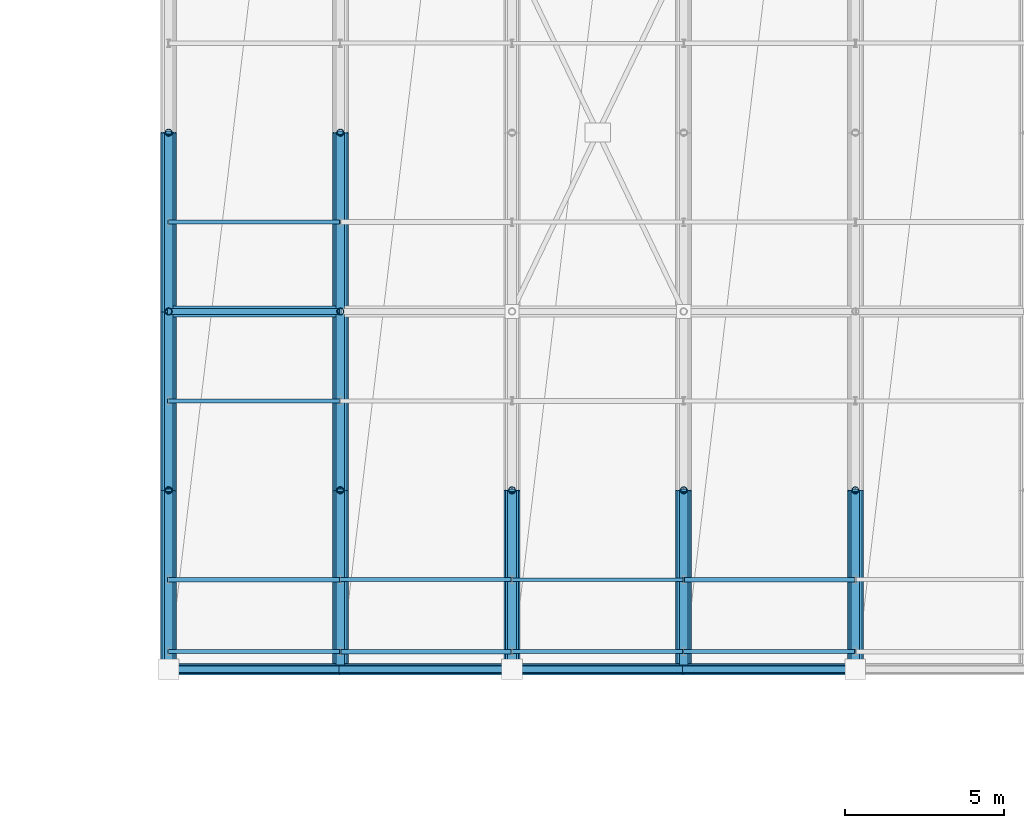
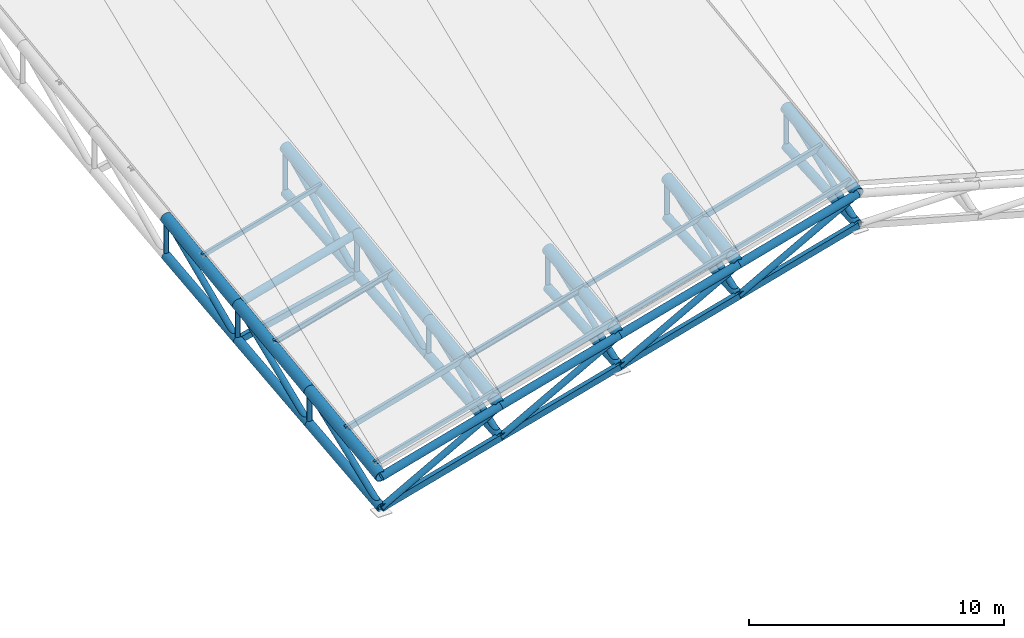
# One storey, part 1 of 109: 42 members, 18 beams.
"""IFC4 building model written with IfcOpenShell, lengths in metres."""

import ifcopenshell
import ifcopenshell.guid

model = None  # the IFC model being written
_history = None  # IfcOwnerHistory: only IFC2X3 demands one
_inside = {}  # id of a spatial element -> (the spatial element, [elements in it])
_under = {}  # id of a project, library or spatial element -> (it, [spatial elements below it])
_declared = {}  # id of a project -> (the project, [libraries it declares])
_typed = {}  # id of a type object -> (the type object, [elements of that type])
_made_of = {}  # id of a material, layer set ... -> (it, [elements and type objects made of it])


def new_model(schema):
    """Start an empty IFC model of exactly this schema.

    Asked for "IFC4X3", IfcOpenShell would pick the latest addendum, in which some entities
    have other attributes; the version numbers below select the first issue.
    IFC2X3 requires an IfcOwnerHistory on every rooted entity: one is made here for all.
    """
    global model, _history
    if schema == "IFC4X3":
        model = ifcopenshell.file(schema_version=(4, 3, 0, 0))
    else:
        model = ifcopenshell.file(schema=schema)
    _inside.clear()
    _under.clear()
    _declared.clear()
    _typed.clear()
    _made_of.clear()
    _history = None
    if model.schema == "IFC2X3":
        org = make("IfcOrganization", Name="unknown")
        user = make(
            "IfcPersonAndOrganization",
            ThePerson=make("IfcPerson", FamilyName="unknown"),
            TheOrganization=org,
        )
        app = make(
            "IfcApplication",
            ApplicationDeveloper=org,
            Version="unknown",
            ApplicationFullName="unknown",
            ApplicationIdentifier="unknown",
        )
        _history = make(
            "IfcOwnerHistory",
            OwningUser=user,
            OwningApplication=app,
            ChangeAction="ADDED",
            CreationDate=0,
        )
    return model


def make(cls, **values):
    """One entity of the class cls with the attributes given. An attribute that is None is left unset."""
    return model.create_entity(
        cls, **{name: value for name, value in values.items() if value is not None}
    )


def rooted(cls, **values):
    """An entity with a GlobalId (a new one), such as an element, a storey or a relation."""
    return make(cls, GlobalId=ifcopenshell.guid.new(), OwnerHistory=_history, **values)


def si_unit(unit_type, name, prefix=None):
    """IfcSIUnit, for example si_unit("LENGTHUNIT", "METRE", prefix="MILLI")."""
    return make("IfcSIUnit", UnitType=unit_type, Prefix=prefix, Name=name)


def assignment(units):
    """IfcUnitAssignment: the units of a project."""
    return None if units is None else make("IfcUnitAssignment", Units=units)


def point(xyz):
    """IfcCartesianPoint."""
    return None if xyz is None else make("IfcCartesianPoint", Coordinates=xyz)


def direction(xyz):
    """IfcDirection."""
    return None if xyz is None else make("IfcDirection", DirectionRatios=xyz)


def frame(location, z_axis=None, x_axis=None):
    """IfcAxis2Placement3D, a coordinate frame: its origin and axes. An axis left out is left unset."""
    return make(
        "IfcAxis2Placement3D",
        Location=point(location),
        Axis=direction(z_axis),
        RefDirection=direction(x_axis),
    )


def frame_2d(location, x_axis=None):
    """IfcAxis2Placement2D, a coordinate frame in the plane: its origin and x axis."""
    return make(
        "IfcAxis2Placement2D", Location=point(location), RefDirection=direction(x_axis)
    )


def origin():
    """The frame at (0, 0, 0) with its axes left unset."""
    return frame((0.0, 0.0, 0.0))


def origin_2d():
    """The frame at (0, 0) in the plane with its x axis left unset."""
    return frame_2d((0.0, 0.0))


def place(relative_to, where):
    """IfcLocalPlacement: puts the frame where relative to a parent placement (None: the world)."""
    return make(
        "IfcLocalPlacement", PlacementRelTo=relative_to, RelativePlacement=where
    )


def context(
    kind, dimensions, precision=None, world=None, true_north=None, identifier=None
):
    """IfcGeometricRepresentationContext, for example the 3D "Model" context."""
    return make(
        "IfcGeometricRepresentationContext",
        ContextIdentifier=identifier,
        ContextType=kind,
        CoordinateSpaceDimension=dimensions,
        Precision=precision,
        WorldCoordinateSystem=world,
        TrueNorth=true_north,
    )


def subcontext(parent, identifier, kind, view, scale=None):
    """IfcGeometricRepresentationSubContext, for example "Body" below "Model"."""
    return make(
        "IfcGeometricRepresentationSubContext",
        ContextIdentifier=identifier,
        ContextType=kind,
        ParentContext=parent,
        TargetScale=scale,
        TargetView=view,
    )


def project(units=None, contexts=None):
    """IfcProject with its units and contexts."""
    return rooted(
        "IfcProject",
        Name="project",
        RepresentationContexts=contexts,
        UnitsInContext=assignment(units),
    )


def spatial(cls, under=None, at=None, **own):
    """A site, building, storey or space (cls), placed at a placement, below another one or the project."""
    s = rooted(cls, ObjectPlacement=at, **own)
    if under is not None:
        _under.setdefault(under.id(), (under, []))[1].append(s)
    return s


def profile(cls, at=None, kind="AREA", **sizes):
    """A parametric profile (cls). Its sizes go by their IFC names, for example OverallWidth=200.0."""
    return make(cls, ProfileType=kind, Position=at, **sizes)


def hollow_rectangle(**sizes):
    """IfcRectangleHollowProfileDef."""
    return profile("IfcRectangleHollowProfileDef", **sizes)


def hollow_circle(**sizes):
    """IfcCircleHollowProfileDef."""
    return profile("IfcCircleHollowProfileDef", **sizes)


def i_section(**sizes):
    """IfcIShapeProfileDef."""
    return profile("IfcIShapeProfileDef", **sizes)


def extrude(swept, where, along, depth):
    """IfcExtrudedAreaSolid: the profile swept, set in the frame where, extruded along a direction by depth."""
    return make(
        "IfcExtrudedAreaSolid",
        SweptArea=swept,
        Position=where,
        ExtrudedDirection=direction(along),
        Depth=depth,
    )


def shape(context_of_items, identifier, shape_type, items):
    """IfcShapeRepresentation: the items that make up one representation, for example the "Body"."""
    return make(
        "IfcShapeRepresentation",
        ContextOfItems=context_of_items,
        RepresentationIdentifier=identifier,
        RepresentationType=shape_type,
        Items=items,
    )


def material(Name=None, Category=None):
    """IfcMaterial."""
    return make("IfcMaterial", Name=Name, Category=Category)


def material_profile(
    of_material, cross_section, Name=None, Category=None, Priority=None
):
    """IfcMaterialProfile: a cross section and its material."""
    return make(
        "IfcMaterialProfile",
        Name=Name,
        Material=of_material,
        Profile=cross_section,
        Priority=Priority,
        Category=Category,
    )


def profile_set(profiles, Name=None, composite=None):
    """IfcMaterialProfileSet."""
    return make(
        "IfcMaterialProfileSet",
        Name=Name,
        MaterialProfiles=profiles,
        CompositeProfile=composite,
    )


def made_of(thing, what):
    """Note that an element or type object is made of a material, layer set ...; save() writes the relation."""
    if what is not None:
        _made_of.setdefault(what.id(), (what, []))[1].append(thing)
    return thing


def type_object(cls, material=None, **own):
    """A type object (cls), such as IfcWallType, which elements share."""
    return made_of(rooted(cls, **own), material)


def element(
    cls,
    number,
    at=None,
    inside=None,
    cuts=None,
    type_object=None,
    material=None,
    context=None,
    identifier="Body",
    shape_type=None,
    held_by="IfcProductDefinitionShape",
    body=None,
    shapes=None,
    **own,
):
    """One element of the class cls, such as IfcWall. Its Tag is "e" and its number.

    at: its placement. inside: the storey or other place that contains it. cuts: it is an
    opening in that element (IfcRelVoidsElement). A single representation is given by context,
    identifier, shape_type and body (its items); several are given by shapes. held_by: the class
    of the entity that holds the representations. save() writes the other relations.
    """
    e = rooted(cls, Tag="e%d" % number, ObjectPlacement=at, **own)
    if body is not None:
        shapes = [shape(context, identifier, shape_type, body)]
    if shapes is not None:
        e.Representation = make(held_by, Representations=shapes)
    if inside is not None:
        _inside.setdefault(inside.id(), (inside, []))[1].append(e)
    if cuts is not None:
        rooted(
            "IfcRelVoidsElement", RelatingBuildingElement=cuts, RelatedOpeningElement=e
        )
    if type_object is not None:
        _typed.setdefault(type_object.id(), (type_object, []))[1].append(e)
    return made_of(e, material)


def aggregate(whole, parts):
    """IfcRelAggregates: a whole, such as a stair, and the parts it consists of."""
    return rooted("IfcRelAggregates", RelatingObject=whole, RelatedObjects=parts)


def save(model, path):
    """Write the relations noted so far, then the file.

    IfcRelAggregates (storeys below a building ...), IfcRelContainedInSpatialStructure (elements
    in a storey), IfcRelDefinesByType, IfcRelAssociatesMaterial and IfcRelDeclares: one each for
    every whole, place, type object, material and project.
    """
    for whole, parts in _under.values():
        aggregate(whole, parts)
    for where, things in _inside.values():
        rooted(
            "IfcRelContainedInSpatialStructure",
            RelatedElements=things,
            RelatingStructure=where,
        )
    for kind, things in _typed.values():
        rooted("IfcRelDefinesByType", RelatedObjects=things, RelatingType=kind)
    for what, things in _made_of.values():
        rooted("IfcRelAssociatesMaterial", RelatedObjects=things, RelatingMaterial=what)
    for by, libraries in _declared.values():
        rooted("IfcRelDeclares", RelatingContext=by, RelatedDefinitions=libraries)
    model.write(path)


model = new_model("IFC4")

# Units and contexts
model_context = context("Model", 3, precision=1e-05, world=origin(), true_north=direction((0.0, 1.0)))
body_context = subcontext(model_context, "Body", "Model", "MODEL_VIEW")
ifc_project = project(units=[si_unit("LENGTHUNIT", "METRE"), si_unit("AREAUNIT", "SQUARE_METRE"), si_unit("VOLUMEUNIT", "CUBIC_METRE"), si_unit("PLANEANGLEUNIT", "RADIAN"), si_unit("MASSUNIT", "GRAM", prefix="KILO")], contexts=[model_context])

# Site, building, storey
site_placement = place(None, origin())
site = spatial("IfcSite", under=ifc_project, at=site_placement, CompositionType="ELEMENT")
building_placement = place(site_placement, origin())
building = spatial("IfcBuilding", under=site, at=building_placement, Name="Suirenkawa Promenade Aquatics Centre", CompositionType="ELEMENT")
storey_placement = place(building_placement, frame((0.0, 0.0, 22.800048828125)))
storey = spatial("IfcBuildingStorey", under=building, at=storey_placement, Name="ROOF", CompositionType="ELEMENT", Elevation=22.800048828125)

# Beams
ifc_material = material(Name="Steel IS 2062 E350 (Grade 350)", Category="steel")
ifc_material_profile_1 = material_profile(ifc_material, hollow_circle(Radius=0.202880859375, WallThickness=0.01806640625, at=origin_2d()), Name="CHS 406x18", Category="steel")
ifc_profile_set_1 = profile_set([ifc_material_profile_1], Name="Steel IS 2062 E350 (Grade 350)")
beam_type_1 = type_object("IfcBeamType", Name="BT-BC-CHS406", PredefinedType="BEAM", material=ifc_profile_set_1)
beam_1_placement = place(storey_placement, frame((46.800048828125, 50.39990234375, -16.47998046875), z_axis=(0.0, 0.994361931266, 0.106039377826), x_axis=(-1.0, 0.0, 0.0)))
element("IfcBeam", 1, at=beam_1_placement, inside=storey, type_object=beam_type_1, Name="ROOF TRUSS V1 bottom chord BC-01 BM-1808", PredefinedType="BEAM", context=body_context, shape_type="SweptSolid", body=[
    extrude(hollow_circle(Radius=0.202880859375, WallThickness=0.01806640625, at=origin_2d()), origin(), (0.0, 0.0, 1.0), 5.656982421875),
])
beam_2_placement = place(storey_placement, frame((46.800048828125, 56.02490234375, -15.880126953125), z_axis=(0.0, 0.99422460669, 0.107319296738), x_axis=(-1.0, 0.0, 0.0)))
element("IfcBeam", 2, at=beam_2_placement, inside=storey, type_object=beam_type_1, Name="ROOF TRUSS V1 bottom chord BC-01 BM-1810", PredefinedType="BEAM", context=body_context, shape_type="SweptSolid", body=[
    extrude(hollow_circle(Radius=0.202880859375, WallThickness=0.01806640625, at=origin_2d()), origin(), (0.0, 0.0, 1.0), 5.65771484375),
])
beam_3_placement = place(storey_placement, frame((46.800048828125, 61.64990234375, -15.27294921875), z_axis=(0.0, 0.993945133668, 0.109877528448), x_axis=(-1.0, 0.0, 0.0)))
element("IfcBeam", 3, at=beam_3_placement, inside=storey, type_object=beam_type_1, Name="ROOF TRUSS V1 bottom chord BC-01 BM-1812", PredefinedType="BEAM", context=body_context, shape_type="SweptSolid", body=[
    extrude(hollow_circle(Radius=0.202880859375, WallThickness=0.01806640625, at=origin_2d()), origin(), (0.0, 0.0, 1.0), 5.6591796875),
])
beam_4_placement = place(storey_placement, frame((52.199951171875, 50.39990234375, -14.97998046875), z_axis=(0.0, 0.996499069884, 0.083603849917), x_axis=(-1.0, 0.0, 0.0)))
element("IfcBeam", 4, at=beam_4_placement, inside=storey, type_object=beam_type_1, Name="ROOF TRUSS V1 bottom chord BC-01 BM-1836", PredefinedType="BEAM", context=body_context, shape_type="SweptSolid", body=[
    extrude(hollow_circle(Radius=0.202880859375, WallThickness=0.01806640625, at=origin_2d()), origin(), (0.0, 0.0, 1.0), 5.644775390625),
])
beam_5_placement = place(storey_placement, frame((52.199951171875, 56.02490234375, -14.508056640625), z_axis=(0.0, 0.996257281682, 0.086437426479), x_axis=(-1.0, 0.0, 0.0)))
element("IfcBeam", 5, at=beam_5_placement, inside=storey, type_object=beam_type_1, Name="ROOF TRUSS V1 bottom chord BC-01 BM-1838", PredefinedType="BEAM", context=body_context, shape_type="SweptSolid", body=[
    extrude(hollow_circle(Radius=0.202880859375, WallThickness=0.01806640625, at=origin_2d()), origin(), (0.0, 0.0, 1.0), 5.646240234375),
])
beam_6_placement = place(storey_placement, frame((52.199951171875, 61.64990234375, -14.02001953125), z_axis=(0.0, 0.99580129814, 0.091541108918), x_axis=(-1.0, 0.0, 0.0)))
element("IfcBeam", 6, at=beam_6_placement, inside=storey, type_object=beam_type_1, Name="ROOF TRUSS V1 bottom chord BC-01 BM-1840", PredefinedType="BEAM", context=body_context, shape_type="SweptSolid", body=[
    extrude(hollow_circle(Radius=0.202880859375, WallThickness=0.01806640625, at=origin_2d()), origin(), (0.0, 0.0, 1.0), 5.648681640625),
])
beam_7_placement = place(storey_placement, frame((57.60009765625, 50.39990234375, -13.47998046875), z_axis=(0.0, 0.998124718782, 0.061213117519), x_axis=(-1.0, 0.0, 0.0)))
element("IfcBeam", 7, at=beam_7_placement, inside=storey, type_object=beam_type_1, Name="ROOF TRUSS V1 bottom chord BC-01 BM-1864", PredefinedType="BEAM", context=body_context, shape_type="SweptSolid", body=[
    extrude(hollow_circle(Radius=0.202880859375, WallThickness=0.01806640625, at=origin_2d()), origin(), (0.0, 0.0, 1.0), 5.635498046875),
])
for number, where, z_axis, x_axis, name in (
    (8, (63.0, 50.39990234375, -11.97998046875), (0.0, 0.998275120127, 0.058709322386), (-1.0, 0.0, 0.0), "ROOF TRUSS V1 bottom chord BC-01 BM-1892"),
    (9, (68.39990234375, 50.39990234375, -10.47998046875), (0.0, 0.998275120127, 0.058709322386), (-1.0, 0.0, 0.0), "ROOF TRUSS V1 bottom chord BC-01 BM-1920"),
):
    element("IfcBeam", number, at=place(storey_placement, frame(where, z_axis=z_axis, x_axis=x_axis)), inside=storey, type_object=beam_type_1, Name=name, PredefinedType="BEAM", context=body_context, shape_type="SweptSolid", body=[
        extrude(hollow_circle(Radius=0.202880859375, WallThickness=0.01806640625, at=origin_2d()), origin(), (0.0, 0.0, 1.0), 5.634765625),
    ])
ifc_material_profile_2 = material_profile(ifc_material, hollow_circle(Radius=0.25390625, WallThickness=0.02392578125, at=origin_2d()), Name="CHS 508x24", Category="steel")
ifc_profile_set_2 = profile_set([ifc_material_profile_2], Name="Steel IS 2062 E350 (Grade 350)")
beam_type_2 = type_object("IfcBeamType", Name="BT-TC-CHS508", PredefinedType="BEAM", material=ifc_profile_set_2)
for number, where, z_axis, x_axis, name in (
    (10, (46.800048828125, 50.39990234375, -15.0), (0.0, 0.991799178012, 0.127806065951), (-1.0, 0.0, 0.0), "ROOF TRUSS V1 top chord TC-02 BM-1807"),
    (11, (46.800048828125, 56.02490234375, -14.275146484375), (0.0, 0.991793720609, 0.127848409297), (-1.0, 0.0, 0.0), "ROOF TRUSS V1 top chord TC-02 BM-1809"),
    (12, (46.800048828125, 61.64990234375, -13.550048828125), (0.0, 0.991793720609, 0.127848409297), (-1.0, 0.0, 0.0), "ROOF TRUSS V1 top chord TC-02 BM-1811"),
    (13, (52.199951171875, 50.39990234375, -13.5), (0.0, 0.991799178012, 0.127806065951), (-1.0, 0.0, 0.0), "ROOF TRUSS V1 top chord TC-02 BM-1835"),
    (14, (52.199951171875, 56.02490234375, -12.775146484375), (0.0, 0.991793720609, 0.127848409297), (-1.0, 0.0, 0.0), "ROOF TRUSS V1 top chord TC-02 BM-1837"),
    (15, (52.199951171875, 61.64990234375, -12.050048828125), (0.0, 0.991793720609, 0.127848409297), (-1.0, 0.0, 0.0), "ROOF TRUSS V1 top chord TC-02 BM-1839"),
    (16, (57.60009765625, 50.39990234375, -12.0), (0.0, 0.991799178012, 0.127806065951), (-1.0, 0.0, 0.0), "ROOF TRUSS V1 top chord TC-02 BM-1863"),
    (17, (63.0, 50.39990234375, -10.5), (0.0, 0.991799178012, 0.127806065951), (-1.0, 0.0, 0.0), "ROOF TRUSS V1 top chord TC-02 BM-1891"),
    (18, (68.39990234375, 50.39990234375, -9.0), (0.0, 0.991799178012, 0.127806065951), (-1.0, 0.0, 0.0), "ROOF TRUSS V1 top chord TC-02 BM-1919"),
):
    element("IfcBeam", number, at=place(storey_placement, frame(where, z_axis=z_axis, x_axis=x_axis)), inside=storey, type_object=beam_type_2, Name=name, PredefinedType="BEAM", context=body_context, shape_type="SweptSolid", body=[
        extrude(hollow_circle(Radius=0.25390625, WallThickness=0.02392578125, at=origin_2d()), origin(), (0.0, 0.0, 1.0), 5.671630859375),
    ])

# Members
ifc_material_profile_3 = material_profile(ifc_material, hollow_circle(Radius=0.177978515625, WallThickness=0.01611328125, at=origin_2d()), Name="CHS 356x16", Category="steel")
ifc_profile_set_3 = profile_set([ifc_material_profile_3], Name="Steel IS 2062 E350 (Grade 350)")
member_type_1 = type_object("IfcMemberType", Name="MT-CHORD-CHS356", PredefinedType="CHORD", material=ifc_profile_set_3)
member_1_placement = place(storey_placement, frame((46.800048828125, 50.39990234375, -15.0), z_axis=(0.963516661409, 0.0, 0.267648357342), x_axis=(0.0, 1.0, 0.0)))
element("IfcMember", 19, at=member_1_placement, inside=storey, type_object=member_type_1, Name="ROOF TRUSS V1 eave top chord CH-02 MB-0568", PredefinedType="CHORD", context=body_context, shape_type="SweptSolid", body=[
    extrude(hollow_circle(Radius=0.177978515625, WallThickness=0.01611328125, at=origin_2d()), origin(), (0.0, 0.0, 1.0), 5.604248046875),
])
member_2_placement = place(storey_placement, frame((52.199951171875, 50.39990234375, -13.5), z_axis=(0.963519781844, 0.0, 0.267637123724), x_axis=(0.0, 1.0, 0.0)))
element("IfcMember", 20, at=member_2_placement, inside=storey, type_object=member_type_1, Name="ROOF TRUSS V1 eave top chord CH-02 MB-0571", PredefinedType="CHORD", context=body_context, shape_type="SweptSolid", body=[
    extrude(hollow_circle(Radius=0.177978515625, WallThickness=0.01611328125, at=origin_2d()), origin(), (0.0, 0.0, 1.0), 5.6044921875),
])
for number, where, z_axis, x_axis, name in (
    (21, (57.60009765625, 50.39990234375, -12.0), (0.963516661409, 0.0, 0.267648357342), (0.0, 1.0, 0.0), "ROOF TRUSS V1 eave top chord CH-02 MB-0574"),
    (22, (63.0, 50.39990234375, -10.5), (0.963516661409, 0.0, 0.267648357342), (0.0, 1.0, 0.0), "ROOF TRUSS V1 eave top chord CH-02 MB-0577"),
    (23, (46.800048828125, 61.64990234375, -13.550048828125), (0.963516661409, 0.0, 0.267648357342), (0.0, 1.0, 0.0), "ROOF TRUSS V1 tie chord CH-02 MB-0688"),
):
    element("IfcMember", number, at=place(storey_placement, frame(where, z_axis=z_axis, x_axis=x_axis)), inside=storey, type_object=member_type_1, Name=name, PredefinedType="CHORD", context=body_context, shape_type="SweptSolid", body=[
        extrude(hollow_circle(Radius=0.177978515625, WallThickness=0.01611328125, at=origin_2d()), origin(), (0.0, 0.0, 1.0), 5.604248046875),
    ])
ifc_material_profile_4 = material_profile(ifc_material, hollow_rectangle(XDim=0.199951171875, YDim=0.300048828125, WallThickness=0.011962890625, at=origin_2d()), Name="RHS 300x200x12", Category="steel")
ifc_profile_set_4 = profile_set([ifc_material_profile_4], Name="Steel IS 2062 E350 (Grade 350)")
member_type_2 = type_object("IfcMemberType", Name="MT-CHORD-RHS300", PredefinedType="CHORD", material=ifc_profile_set_4)
member_3_placement = place(storey_placement, frame((46.800048828125, 50.39990234375, -16.47998046875), z_axis=(0.963516661409, 0.0, 0.267648357342), x_axis=(0.0, 1.0, 0.0)))
element("IfcMember", 24, at=member_3_placement, inside=storey, type_object=member_type_2, Name="ROOF TRUSS V1 eave bottom chord CH-03 MB-0569", PredefinedType="CHORD", context=body_context, shape_type="SweptSolid", body=[
    extrude(hollow_rectangle(XDim=0.199951171875, YDim=0.300048828125, WallThickness=0.011962890625, at=origin_2d()), origin(), (0.0, 0.0, 1.0), 5.604248046875),
])
member_4_placement = place(storey_placement, frame((52.199951171875, 50.39990234375, -14.97998046875), z_axis=(0.963519781844, 0.0, 0.267637123724), x_axis=(0.0, 1.0, 0.0)))
element("IfcMember", 25, at=member_4_placement, inside=storey, type_object=member_type_2, Name="ROOF TRUSS V1 eave bottom chord CH-03 MB-0572", PredefinedType="CHORD", context=body_context, shape_type="SweptSolid", body=[
    extrude(hollow_rectangle(XDim=0.199951171875, YDim=0.300048828125, WallThickness=0.011962890625, at=origin_2d()), origin(), (0.0, 0.0, 1.0), 5.6044921875),
])
for number, where, z_axis, x_axis, name in (
    (26, (57.60009765625, 50.39990234375, -13.47998046875), (0.963516661409, 0.0, 0.267648357342), (0.0, 1.0, 0.0), "ROOF TRUSS V1 eave bottom chord CH-03 MB-0575"),
    (27, (63.0, 50.39990234375, -11.97998046875), (0.963516661409, 0.0, 0.267648357342), (0.0, 1.0, 0.0), "ROOF TRUSS V1 eave bottom chord CH-03 MB-0578"),
):
    element("IfcMember", number, at=place(storey_placement, frame(where, z_axis=z_axis, x_axis=x_axis)), inside=storey, type_object=member_type_2, Name=name, PredefinedType="CHORD", context=body_context, shape_type="SweptSolid", body=[
        extrude(hollow_rectangle(XDim=0.199951171875, YDim=0.300048828125, WallThickness=0.011962890625, at=origin_2d()), origin(), (0.0, 0.0, 1.0), 5.604248046875),
    ])
member_5_placement = place(storey_placement, frame((46.800048828125, 61.64990234375, -15.27294921875), z_axis=(0.974121794056, 0.0, 0.226023738453), x_axis=(0.0, 1.0, 0.0)))
element("IfcMember", 28, at=member_5_placement, inside=storey, type_object=member_type_2, Name="ROOF TRUSS V1 bottom tie CH-03 MB-0689", PredefinedType="CHORD", context=body_context, shape_type="SweptSolid", body=[
    extrude(hollow_rectangle(XDim=0.199951171875, YDim=0.300048828125, WallThickness=0.011962890625, at=origin_2d()), origin(), (0.0, 0.0, 1.0), 5.54345703125),
])
ifc_material_profile_5 = material_profile(ifc_material, i_section(OverallWidth=0.125, OverallDepth=0.25, WebThickness=0.007080078125, FlangeThickness=0.012939453125, at=origin_2d()), Name="ISMB 250", Category="steel")
ifc_profile_set_5 = profile_set([ifc_material_profile_5], Name="Steel IS 2062 E350 (Grade 350)")
member_type_3 = type_object("IfcMemberType", Name="MT-PURLIN-ISMB250", PredefinedType="PURLIN", material=ifc_profile_set_5)
member_6_placement = place(storey_placement, frame((46.800048828125, 58.8369140625, -13.692138671875), z_axis=(0.963516661409, 0.0, 0.267648357342), x_axis=(0.0, 1.0, 0.0)))
element("IfcMember", 29, at=member_6_placement, inside=storey, type_object=member_type_3, Name="ROOF TRUSS Roof purlin PU-04 MB-1675", PredefinedType="PURLIN", context=body_context, shape_type="SweptSolid", body=[
    extrude(i_section(OverallWidth=0.125, OverallDepth=0.25, WebThickness=0.007080078125, FlangeThickness=0.012939453125, at=origin_2d()), origin(), (0.0, 0.0, 1.0), 5.604248046875),
])
member_7_placement = place(storey_placement, frame((52.199951171875, 53.2119140625, -12.9169921875), z_axis=(0.963519781844, 0.0, 0.267637123724), x_axis=(0.0, 1.0, 0.0)))
element("IfcMember", 30, at=member_7_placement, inside=storey, type_object=member_type_3, Name="ROOF TRUSS Roof purlin PU-04 MB-1725", PredefinedType="PURLIN", context=body_context, shape_type="SweptSolid", body=[
    extrude(i_section(OverallWidth=0.125, OverallDepth=0.25, WebThickness=0.007080078125, FlangeThickness=0.012939453125, at=origin_2d()), origin(), (0.0, 0.0, 1.0), 5.6044921875),
])
member_8_placement = place(storey_placement, frame((57.60009765625, 50.949951171875, -11.7080078125), z_axis=(0.963516661409, 0.0, 0.267648357342), x_axis=(0.0, 1.0, 0.0)))
element("IfcMember", 31, at=member_8_placement, inside=storey, type_object=member_type_3, Name="ROOF TRUSS Roof purlin PU-04 MB-1759", PredefinedType="PURLIN", context=body_context, shape_type="SweptSolid", body=[
    extrude(i_section(OverallWidth=0.125, OverallDepth=0.25, WebThickness=0.007080078125, FlangeThickness=0.012939453125, at=origin_2d()), origin(), (0.0, 0.0, 1.0), 5.604248046875),
])
ifc_material_profile_6 = material_profile(ifc_material, hollow_rectangle(XDim=0.1201171875, YDim=0.199951171875, WallThickness=0.008056640625, at=origin_2d()), Name="RHS 200x120x8", Category="steel")
ifc_profile_set_6 = profile_set([ifc_material_profile_6], Name="Steel IS 2062 E350 (Grade 350)")
member_type_4 = type_object("IfcMemberType", Name="MT-PURLIN-RHS200", PredefinedType="PURLIN", material=ifc_profile_set_6)
for number, where, z_axis, x_axis, name in (
    (32, (46.800048828125, 50.949951171875, -14.68310546875), (0.963516661409, 0.0, 0.267648357342), (0.0, 1.0, 0.0), "ROOF TRUSS Roof purlin PU-02 MB-1669"),
    (33, (46.800048828125, 64.462890625, -12.941162109375), (0.963516661409, 0.0, 0.267648357342), (0.0, 1.0, 0.0), "ROOF TRUSS Roof purlin PU-02 MB-1678"),
    (34, (57.60009765625, 53.2119140625, -11.39111328125), (0.963516661409, 0.0, 0.267648357342), (0.0, 1.0, 0.0), "ROOF TRUSS Roof purlin PU-02 MB-1761"),
    (35, (63.0, 50.949951171875, -10.18310546875), (0.963516661409, 0.0, 0.267648357342), (0.0, 1.0, 0.0), "ROOF TRUSS Roof purlin PU-02 MB-1795"),
):
    element("IfcMember", number, at=place(storey_placement, frame(where, z_axis=z_axis, x_axis=x_axis)), inside=storey, type_object=member_type_4, Name=name, PredefinedType="PURLIN", context=body_context, shape_type="SweptSolid", body=[
        extrude(hollow_rectangle(XDim=0.1201171875, YDim=0.199951171875, WallThickness=0.008056640625, at=origin_2d()), origin(), (0.0, 0.0, 1.0), 5.604248046875),
    ])
ifc_material_profile_7 = material_profile(ifc_material, hollow_rectangle(XDim=0.14990234375, YDim=0.25, WallThickness=0.010009765625, at=origin_2d()), Name="RHS 250x150x10", Category="steel")
ifc_profile_set_7 = profile_set([ifc_material_profile_7], Name="Steel IS 2062 E350 (Grade 350)")
member_type_5 = type_object("IfcMemberType", Name="MT-PURLIN-RHS250", PredefinedType="PURLIN", material=ifc_profile_set_7)
member_9_placement = place(storey_placement, frame((46.800048828125, 53.2119140625, -14.41796875), z_axis=(0.963516661409, 0.0, 0.267648357342), x_axis=(0.0, 1.0, 0.0)))
element("IfcMember", 36, at=member_9_placement, inside=storey, type_object=member_type_5, Name="ROOF TRUSS Roof purlin PU-03 MB-1672", PredefinedType="PURLIN", context=body_context, shape_type="SweptSolid", body=[
    extrude(hollow_rectangle(XDim=0.14990234375, YDim=0.25, WallThickness=0.010009765625, at=origin_2d()), origin(), (0.0, 0.0, 1.0), 5.604248046875),
])
member_10_placement = place(storey_placement, frame((52.199951171875, 50.949951171875, -13.2099609375), z_axis=(0.963519781844, 0.0, 0.267637123724), x_axis=(0.0, 1.0, 0.0)))
element("IfcMember", 37, at=member_10_placement, inside=storey, type_object=member_type_5, Name="ROOF TRUSS Roof purlin PU-03 MB-1723", PredefinedType="PURLIN", context=body_context, shape_type="SweptSolid", body=[
    extrude(hollow_rectangle(XDim=0.14990234375, YDim=0.25, WallThickness=0.010009765625, at=origin_2d()), origin(), (0.0, 0.0, 1.0), 5.6044921875),
])
member_11_placement = place(storey_placement, frame((63.0, 53.2119140625, -9.91796875), z_axis=(0.963516661409, 0.0, 0.267648357342), x_axis=(0.0, 1.0, 0.0)))
element("IfcMember", 38, at=member_11_placement, inside=storey, type_object=member_type_5, Name="ROOF TRUSS Roof purlin PU-03 MB-1797", PredefinedType="PURLIN", context=body_context, shape_type="SweptSolid", body=[
    extrude(hollow_rectangle(XDim=0.14990234375, YDim=0.25, WallThickness=0.010009765625, at=origin_2d()), origin(), (0.0, 0.0, 1.0), 5.604248046875),
])
ifc_material_profile_8 = material_profile(ifc_material, hollow_circle(Radius=0.110107421875, WallThickness=0.010009765625, at=origin_2d()), Name="CHS 220x10", Category="steel")
ifc_profile_set_8 = profile_set([ifc_material_profile_8], Name="Steel IS 2062 E350 (Grade 350)")
member_type_6 = type_object("IfcMemberType", Name="MT-WEB-CHS220", PredefinedType="BRACE", material=ifc_profile_set_8)
member_12_placement = place(storey_placement, frame((46.800048828125, 56.02490234375, -15.880126953125), z_axis=(0.0, 0.0, 1.0), x_axis=(1.0, 0.0, 0.0)))
element("IfcMember", 39, at=member_12_placement, inside=storey, type_object=member_type_6, Name="ROOF TRUSS V1 web post TD-01 MB-0015", PredefinedType="BRACE", context=body_context, shape_type="SweptSolid", body=[
    extrude(hollow_circle(Radius=0.110107421875, WallThickness=0.010009765625, at=origin_2d()), origin(), (0.0, 0.0, 1.0), 1.60498046875),
])
member_13_placement = place(storey_placement, frame((46.800048828125, 61.64990234375, -15.27294921875), z_axis=(0.0, 0.0, 1.0), x_axis=(1.0, 0.0, 0.0)))
element("IfcMember", 40, at=member_13_placement, inside=storey, type_object=member_type_6, Name="ROOF TRUSS V1 web post TD-01 MB-0016", PredefinedType="BRACE", context=body_context, shape_type="SweptSolid", body=[
    extrude(hollow_circle(Radius=0.110107421875, WallThickness=0.010009765625, at=origin_2d()), origin(), (0.0, 0.0, 1.0), 1.722900390625),
])
member_14_placement = place(storey_placement, frame((46.800048828125, 67.27490234375, -14.651123046875), z_axis=(0.0, 0.0, 1.0), x_axis=(1.0, 0.0, 0.0)))
element("IfcMember", 41, at=member_14_placement, inside=storey, type_object=member_type_6, Name="ROOF TRUSS V1 web post TD-01 MB-0017", PredefinedType="BRACE", context=body_context, shape_type="SweptSolid", body=[
    extrude(hollow_circle(Radius=0.110107421875, WallThickness=0.010009765625, at=origin_2d()), origin(), (0.0, 0.0, 1.0), 1.826171875),
])
member_15_placement = place(storey_placement, frame((52.199951171875, 56.02490234375, -14.508056640625), z_axis=(0.0, 0.0, 1.0), x_axis=(1.0, 0.0, 0.0)))
element("IfcMember", 42, at=member_15_placement, inside=storey, type_object=member_type_6, Name="ROOF TRUSS V1 web post TD-01 MB-0042", PredefinedType="BRACE", context=body_context, shape_type="SweptSolid", body=[
    extrude(hollow_circle(Radius=0.110107421875, WallThickness=0.010009765625, at=origin_2d()), origin(), (0.0, 0.0, 1.0), 1.73291015625),
])
member_16_placement = place(storey_placement, frame((52.199951171875, 61.64990234375, -14.02001953125), z_axis=(0.0, 0.0, 1.0), x_axis=(1.0, 0.0, 0.0)))
element("IfcMember", 43, at=member_16_placement, inside=storey, type_object=member_type_6, Name="ROOF TRUSS V1 web post TD-01 MB-0043", PredefinedType="BRACE", context=body_context, shape_type="SweptSolid", body=[
    extrude(hollow_circle(Radius=0.110107421875, WallThickness=0.010009765625, at=origin_2d()), origin(), (0.0, 0.0, 1.0), 1.969970703125),
])
member_17_placement = place(storey_placement, frame((52.199951171875, 67.27490234375, -13.5029296875), z_axis=(0.0, 0.0, 1.0), x_axis=(1.0, 0.0, 0.0)))
element("IfcMember", 44, at=member_17_placement, inside=storey, type_object=member_type_6, Name="ROOF TRUSS V1 web post TD-01 MB-0044", PredefinedType="BRACE", context=body_context, shape_type="SweptSolid", body=[
    extrude(hollow_circle(Radius=0.110107421875, WallThickness=0.010009765625, at=origin_2d()), origin(), (0.0, 0.0, 1.0), 2.177978515625),
])
member_18_placement = place(storey_placement, frame((57.60009765625, 56.02490234375, -13.135009765625), z_axis=(0.0, 0.0, 1.0), x_axis=(1.0, 0.0, 0.0)))
element("IfcMember", 45, at=member_18_placement, inside=storey, type_object=member_type_6, Name="ROOF TRUSS V1 web post TD-01 MB-0069", PredefinedType="BRACE", context=body_context, shape_type="SweptSolid", body=[
    extrude(hollow_circle(Radius=0.110107421875, WallThickness=0.010009765625, at=origin_2d()), origin(), (0.0, 0.0, 1.0), 1.85986328125),
])
for number, where, z_axis, x_axis, name in (
    (46, (63.0, 56.02490234375, -11.649169921875), (0.0, 0.0, 1.0), (1.0, 0.0, 0.0), "ROOF TRUSS V1 web post TD-01 MB-0096"),
    (47, (68.39990234375, 56.02490234375, -10.149169921875), (0.0, 0.0, 1.0), (1.0, 0.0, 0.0), "ROOF TRUSS V1 web post TD-01 MB-0123"),
):
    element("IfcMember", number, at=place(storey_placement, frame(where, z_axis=z_axis, x_axis=x_axis)), inside=storey, type_object=member_type_6, Name=name, PredefinedType="BRACE", context=body_context, shape_type="SweptSolid", body=[
        extrude(hollow_circle(Radius=0.110107421875, WallThickness=0.010009765625, at=origin_2d()), origin(), (0.0, 0.0, 1.0), 1.8740234375),
    ])
ifc_material_profile_9 = material_profile(ifc_material, hollow_circle(Radius=0.136962890625, WallThickness=0.011962890625, at=origin_2d()), Name="CHS 274x12", Category="steel")
ifc_profile_set_9 = profile_set([ifc_material_profile_9], Name="Steel IS 2062 E350 (Grade 350)")
member_type_7 = type_object("IfcMemberType", Name="MT-WEB-CHS274", PredefinedType="BRACE", material=ifc_profile_set_9)
member_19_placement = place(storey_placement, frame((46.800048828125, 50.39990234375, -16.47998046875), z_axis=(0.0, 0.931032164378, 0.364937130056), x_axis=(-1.0, 0.0, 0.0)))
element("IfcMember", 48, at=member_19_placement, inside=storey, type_object=member_type_7, Name="ROOF TRUSS V1 web diagonal TD-02 MB-0001", PredefinedType="BRACE", context=body_context, shape_type="SweptSolid", body=[
    extrude(hollow_circle(Radius=0.136962890625, WallThickness=0.011962890625, at=origin_2d()), origin(), (0.0, 0.0, 1.0), 6.041748046875),
])
member_20_placement = place(storey_placement, frame((46.800048828125, 56.02490234375, -15.880126953125), z_axis=(0.0, 0.923872167062, 0.382701213648), x_axis=(-1.0, 0.0, 0.0)))
element("IfcMember", 49, at=member_20_placement, inside=storey, type_object=member_type_7, Name="ROOF TRUSS V1 web diagonal TD-02 MB-0002", PredefinedType="BRACE", context=body_context, shape_type="SweptSolid", body=[
    extrude(hollow_circle(Radius=0.136962890625, WallThickness=0.011962890625, at=origin_2d()), origin(), (0.0, 0.0, 1.0), 6.088623046875),
])
member_21_placement = place(storey_placement, frame((46.800048828125, 61.64990234375, -15.27294921875), z_axis=(0.0, 0.916930171452, 0.399047692238), x_axis=(-1.0, 0.0, 0.0)))
element("IfcMember", 50, at=member_21_placement, inside=storey, type_object=member_type_7, Name="ROOF TRUSS V1 web diagonal TD-02 MB-0003", PredefinedType="BRACE", context=body_context, shape_type="SweptSolid", body=[
    extrude(hollow_circle(Radius=0.136962890625, WallThickness=0.011962890625, at=origin_2d()), origin(), (0.0, 0.0, 1.0), 6.134521484375),
])
member_22_placement = place(storey_placement, frame((52.199951171875, 50.39990234375, -14.97998046875), z_axis=(0.0, 0.931032164378, 0.364937130056), x_axis=(-1.0, 0.0, 0.0)))
element("IfcMember", 51, at=member_22_placement, inside=storey, type_object=member_type_7, Name="ROOF TRUSS V1 web diagonal TD-02 MB-0028", PredefinedType="BRACE", context=body_context, shape_type="SweptSolid", body=[
    extrude(hollow_circle(Radius=0.136962890625, WallThickness=0.011962890625, at=origin_2d()), origin(), (0.0, 0.0, 1.0), 6.041748046875),
])
member_23_placement = place(storey_placement, frame((52.199951171875, 56.02490234375, -14.508056640625), z_axis=(0.0, 0.916332502177, 0.400418213191), x_axis=(-1.0, 0.0, 0.0)))
element("IfcMember", 52, at=member_23_placement, inside=storey, type_object=member_type_7, Name="ROOF TRUSS V1 web diagonal TD-02 MB-0029", PredefinedType="BRACE", context=body_context, shape_type="SweptSolid", body=[
    extrude(hollow_circle(Radius=0.136962890625, WallThickness=0.011962890625, at=origin_2d()), origin(), (0.0, 0.0, 1.0), 6.138671875),
])
member_24_placement = place(storey_placement, frame((52.199951171875, 61.64990234375, -14.02001953125), z_axis=(0.0, 0.901831281516, 0.432088347077), x_axis=(-1.0, 0.0, 0.0)))
element("IfcMember", 53, at=member_24_placement, inside=storey, type_object=member_type_7, Name="ROOF TRUSS V1 web diagonal TD-02 MB-0030", PredefinedType="BRACE", context=body_context, shape_type="SweptSolid", body=[
    extrude(hollow_circle(Radius=0.136962890625, WallThickness=0.011962890625, at=origin_2d()), origin(), (0.0, 0.0, 1.0), 6.2373046875),
])
for number, where, z_axis, x_axis, name in (
    (54, (57.60009765625, 50.39990234375, -13.47998046875), (0.0, 0.931032164378, 0.364937130056), (-1.0, 0.0, 0.0), "ROOF TRUSS V1 web diagonal TD-02 MB-0055"),
    (55, (63.0, 50.39990234375, -11.97998046875), (0.0, 0.931032164378, 0.364937130056), (-1.0, 0.0, 0.0), "ROOF TRUSS V1 web diagonal TD-02 MB-0082"),
    (56, (68.39990234375, 50.39990234375, -10.47998046875), (0.0, 0.931032164378, 0.364937130056), (-1.0, 0.0, 0.0), "ROOF TRUSS V1 web diagonal TD-02 MB-0109"),
):
    element("IfcMember", number, at=place(storey_placement, frame(where, z_axis=z_axis, x_axis=x_axis)), inside=storey, type_object=member_type_7, Name=name, PredefinedType="BRACE", context=body_context, shape_type="SweptSolid", body=[
        extrude(hollow_circle(Radius=0.136962890625, WallThickness=0.011962890625, at=origin_2d()), origin(), (0.0, 0.0, 1.0), 6.041748046875),
    ])
member_25_placement = place(storey_placement, frame((46.800048828125, 50.39990234375, -16.47998046875), z_axis=(0.875528027487, 0.0, 0.483167334456), x_axis=(0.0, 1.0, 0.0)))
element("IfcMember", 57, at=member_25_placement, inside=storey, type_object=member_type_7, Name="ROOF TRUSS V1 eave web diagonal TD-02 MB-0570", PredefinedType="BRACE", context=body_context, shape_type="SweptSolid", body=[
    extrude(hollow_circle(Radius=0.136962890625, WallThickness=0.011962890625, at=origin_2d()), origin(), (0.0, 0.0, 1.0), 6.16748046875),
])
member_26_placement = place(storey_placement, frame((52.199951171875, 50.39990234375, -14.97998046875), z_axis=(0.875537268014, 0.0, 0.483150589691), x_axis=(0.0, 1.0, 0.0)))
element("IfcMember", 58, at=member_26_placement, inside=storey, type_object=member_type_7, Name="ROOF TRUSS V1 eave web diagonal TD-02 MB-0573", PredefinedType="BRACE", context=body_context, shape_type="SweptSolid", body=[
    extrude(hollow_circle(Radius=0.136962890625, WallThickness=0.011962890625, at=origin_2d()), origin(), (0.0, 0.0, 1.0), 6.167724609375),
])
for number, where, z_axis, x_axis, name in (
    (59, (57.60009765625, 50.39990234375, -13.47998046875), (0.875528027487, 0.0, 0.483167334456), (0.0, 1.0, 0.0), "ROOF TRUSS V1 eave web diagonal TD-02 MB-0576"),
    (60, (63.0, 50.39990234375, -11.97998046875), (0.875528027487, 0.0, 0.483167334456), (0.0, 1.0, 0.0), "ROOF TRUSS V1 eave web diagonal TD-02 MB-0579"),
):
    element("IfcMember", number, at=place(storey_placement, frame(where, z_axis=z_axis, x_axis=x_axis)), inside=storey, type_object=member_type_7, Name=name, PredefinedType="BRACE", context=body_context, shape_type="SweptSolid", body=[
        extrude(hollow_circle(Radius=0.136962890625, WallThickness=0.011962890625, at=origin_2d()), origin(), (0.0, 0.0, 1.0), 6.16748046875),
    ])

save(model, "model.ifc")
